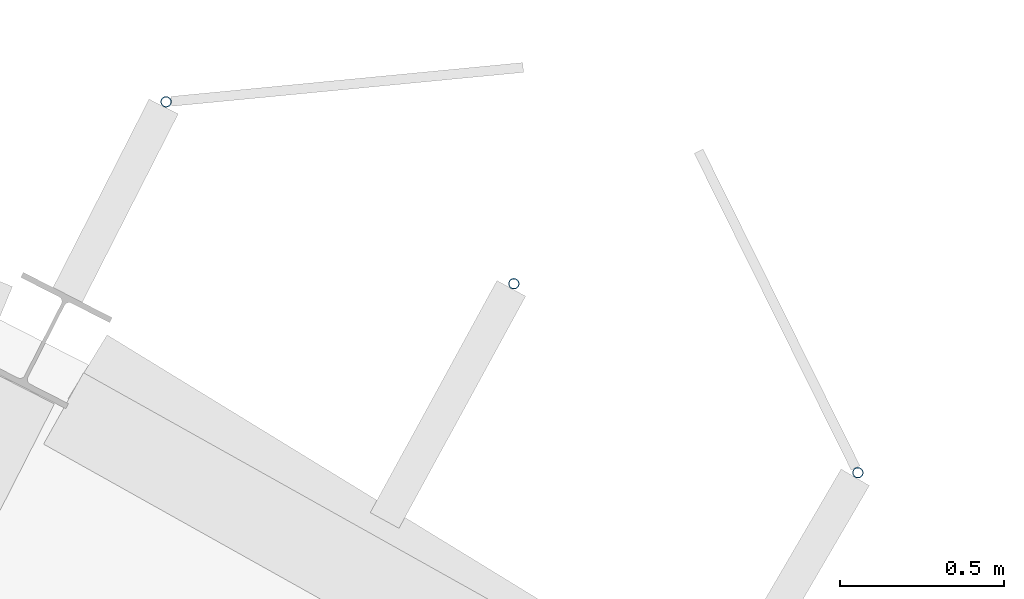
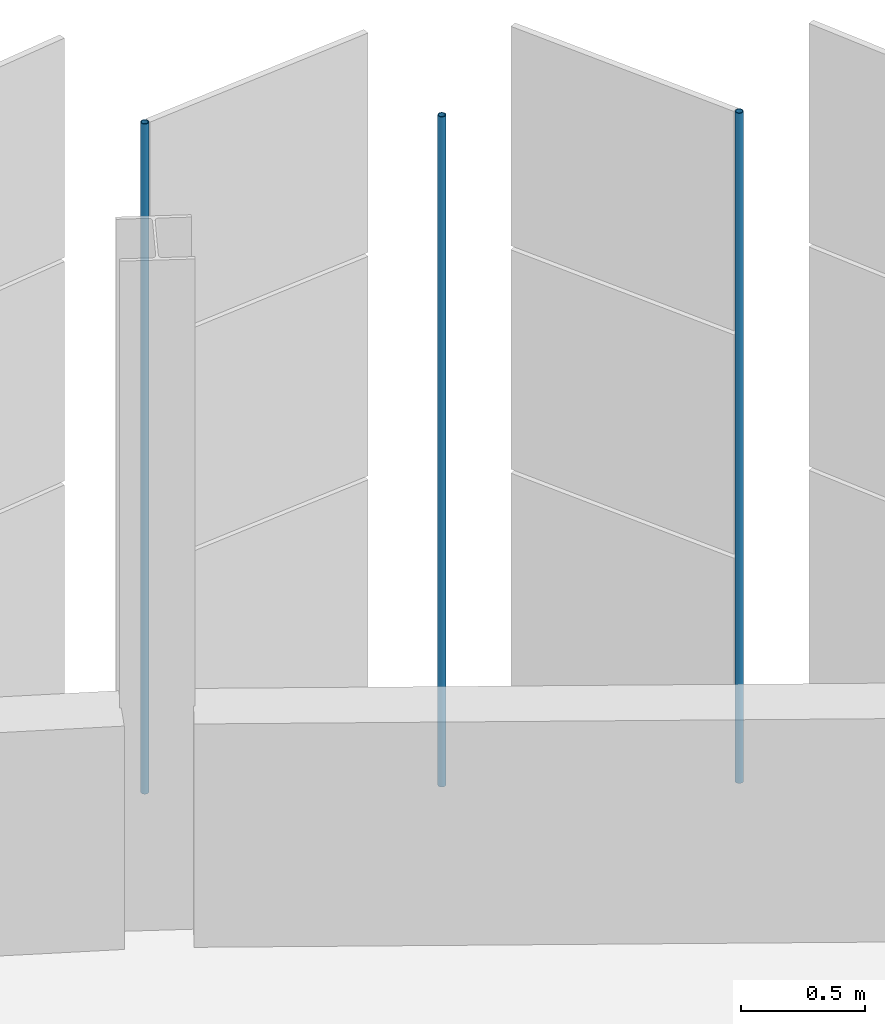
# One storey, part 171 of 214: 3 discrete accessories.
"""IFC4 building model written with IfcOpenShell, lengths in metres."""

from ifc_helpers import new_model, si_unit, direction, frame, origin, origin_2d, place, context, subcontext, project, spatial, hollow_circle, extrude, material, material_profile, profile_set, type_object, element, save


model = new_model("IFC4")

# Units and contexts
model_context = context("Model", 3, precision=1e-05, world=origin(), true_north=direction((0.0, 1.0)))
body_context = subcontext(model_context, "Body", "Model", "MODEL_VIEW")
ifc_project = project(units=[si_unit("LENGTHUNIT", "METRE"), si_unit("AREAUNIT", "SQUARE_METRE"), si_unit("VOLUMEUNIT", "CUBIC_METRE"), si_unit("PLANEANGLEUNIT", "RADIAN"), si_unit("MASSUNIT", "GRAM", prefix="KILO")], contexts=[model_context])

# Site, building, storey
site_placement = place(None, origin())
site = spatial("IfcSite", under=ifc_project, at=site_placement, CompositionType="ELEMENT")
building_placement = place(site_placement, origin())
building = spatial("IfcBuilding", under=site, at=building_placement, Name="Parallax Yard Mobility Hub", CompositionType="ELEMENT")
storey_placement = place(building_placement, frame((0.0, 0.0, 3.300048828125)))
storey = spatial("IfcBuildingStorey", under=building, at=storey_placement, Name="L01", CompositionType="ELEMENT", Elevation=3.300048828125)

# Discrete accessories
ifc_material = material(Name="Steel ASTM A500 Gr C, hot-dip galvanised", Category="steel")
ifc_material_profile = material_profile(ifc_material, hollow_circle(Radius=0.016845703125, WallThickness=0.003173828125, at=origin_2d()), Name="CHS 33.7x3.2")
ifc_profile_set = profile_set([ifc_material_profile], Name="Steel ASTM A500 Gr C, hot-dip galvanised")
discrete_accessory_type = type_object("IfcDiscreteAccessoryType", Name="Hinge post CHS 33.7x3.2", PredefinedType="BRACKET", material=ifc_profile_set)
for number, where, z_axis, x_axis, name in (
    (1, (198.8203125, 136.373779296875, 0.0), (0.0, 0.0, 1.0), (1.0, 0.0, 0.0), "Hinge post bay 47.6 level L01"),
    (2, (197.768798828125, 136.951416015625, 0.0), (0.0, 0.0, 1.0), (1.0, 0.0, 0.0), "Hinge post bay 47.7 level L01"),
    (3, (196.705810546875, 137.50732421875, 0.0), (0.0, 0.0, 1.0), (1.0, 0.0, 0.0), "Hinge post bay 48.1 level L01"),
):
    element("IfcDiscreteAccessory", number, at=place(storey_placement, frame(where, z_axis=z_axis, x_axis=x_axis)), inside=storey, type_object=discrete_accessory_type, Name=name, PredefinedType="BRACKET", context=body_context, shape_type="SweptSolid", body=[
        extrude(hollow_circle(Radius=0.016845703125, WallThickness=0.003173828125, at=origin_2d()), origin(), (0.0, 0.0, 1.0), 3.300048828125),
    ])

save(model, "model.ifc")
